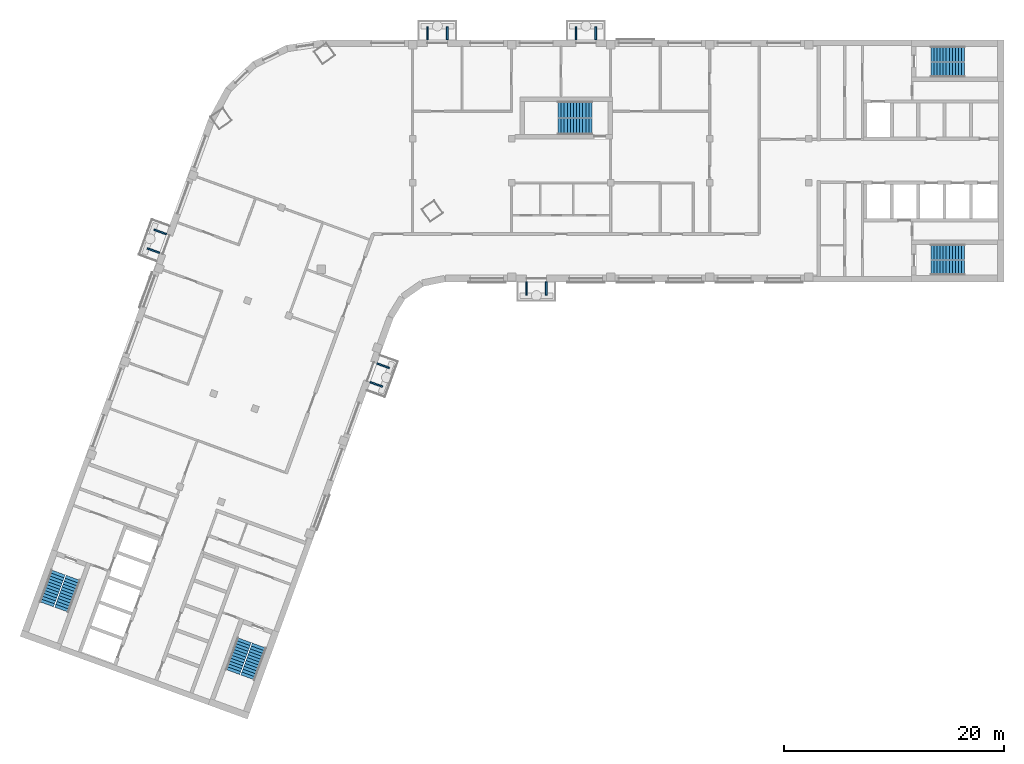
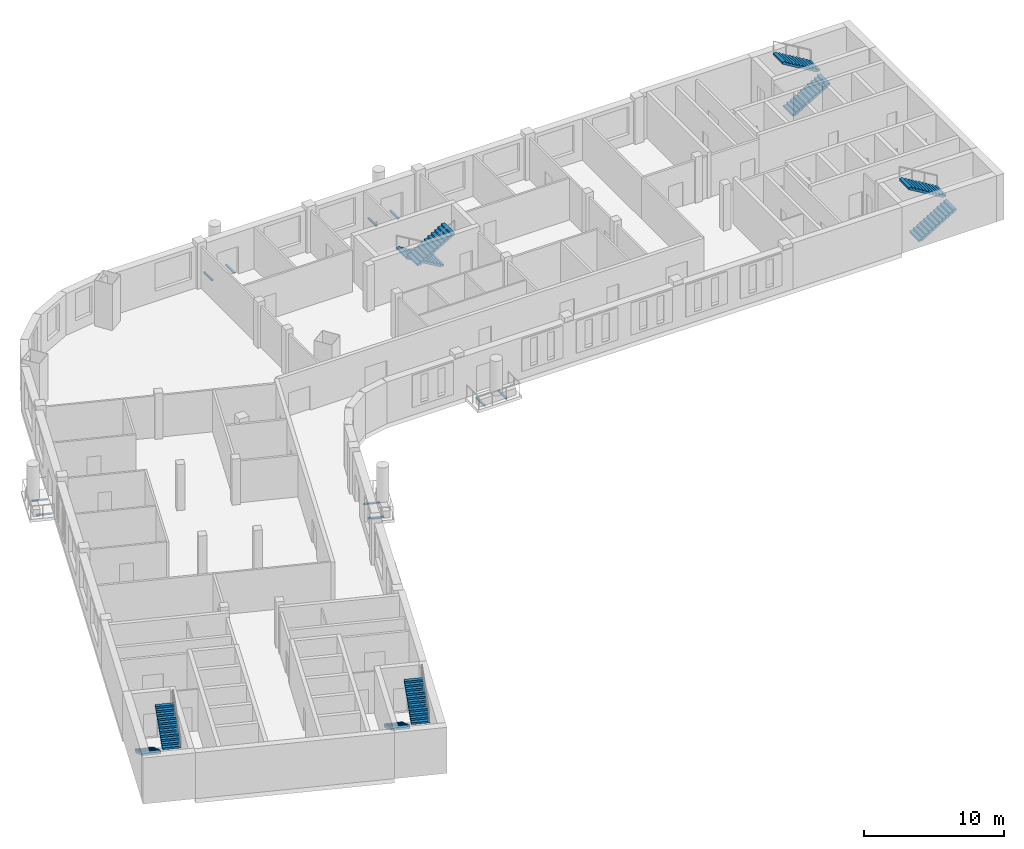
# One storey, part 7 of 10: 10 discrete accessories, 10 stair flights, 5 elements without a shape of their own.
"""IFC4 building model written with IfcOpenShell, lengths in metres."""

import ifcopenshell
import ifcopenshell.guid

model = None  # the IFC model being written
_history = None  # IfcOwnerHistory: only IFC2X3 demands one
_inside = {}  # id of a spatial element -> (the spatial element, [elements in it])
_under = {}  # id of a project, library or spatial element -> (it, [spatial elements below it])
_declared = {}  # id of a project -> (the project, [libraries it declares])
_typed = {}  # id of a type object -> (the type object, [elements of that type])
_made_of = {}  # id of a material, layer set ... -> (it, [elements and type objects made of it])


def new_model(schema):
    """Start an empty IFC model of exactly this schema.

    Asked for "IFC4X3", IfcOpenShell would pick the latest addendum, in which some entities
    have other attributes; the version numbers below select the first issue.
    IFC2X3 requires an IfcOwnerHistory on every rooted entity: one is made here for all.
    """
    global model, _history
    if schema == "IFC4X3":
        model = ifcopenshell.file(schema_version=(4, 3, 0, 0))
    else:
        model = ifcopenshell.file(schema=schema)
    _inside.clear()
    _under.clear()
    _declared.clear()
    _typed.clear()
    _made_of.clear()
    _history = None
    if model.schema == "IFC2X3":
        org = make("IfcOrganization", Name="unknown")
        user = make(
            "IfcPersonAndOrganization",
            ThePerson=make("IfcPerson", FamilyName="unknown"),
            TheOrganization=org,
        )
        app = make(
            "IfcApplication",
            ApplicationDeveloper=org,
            Version="unknown",
            ApplicationFullName="unknown",
            ApplicationIdentifier="unknown",
        )
        _history = make(
            "IfcOwnerHistory",
            OwningUser=user,
            OwningApplication=app,
            ChangeAction="ADDED",
            CreationDate=0,
        )
    return model


def make(cls, **values):
    """One entity of the class cls with the attributes given. An attribute that is None is left unset."""
    return model.create_entity(
        cls, **{name: value for name, value in values.items() if value is not None}
    )


def rooted(cls, **values):
    """An entity with a GlobalId (a new one), such as an element, a storey or a relation."""
    return make(cls, GlobalId=ifcopenshell.guid.new(), OwnerHistory=_history, **values)


def si_unit(unit_type, name, prefix=None):
    """IfcSIUnit, for example si_unit("LENGTHUNIT", "METRE", prefix="MILLI")."""
    return make("IfcSIUnit", UnitType=unit_type, Prefix=prefix, Name=name)


def assignment(units):
    """IfcUnitAssignment: the units of a project."""
    return None if units is None else make("IfcUnitAssignment", Units=units)


def point(xyz):
    """IfcCartesianPoint."""
    return None if xyz is None else make("IfcCartesianPoint", Coordinates=xyz)


def direction(xyz):
    """IfcDirection."""
    return None if xyz is None else make("IfcDirection", DirectionRatios=xyz)


def frame(location, z_axis=None, x_axis=None):
    """IfcAxis2Placement3D, a coordinate frame: its origin and axes. An axis left out is left unset."""
    return make(
        "IfcAxis2Placement3D",
        Location=point(location),
        Axis=direction(z_axis),
        RefDirection=direction(x_axis),
    )


def frame_2d(location, x_axis=None):
    """IfcAxis2Placement2D, a coordinate frame in the plane: its origin and x axis."""
    return make(
        "IfcAxis2Placement2D", Location=point(location), RefDirection=direction(x_axis)
    )


def origin():
    """The frame at (0, 0, 0) with its axes left unset."""
    return frame((0.0, 0.0, 0.0))


def origin_2d():
    """The frame at (0, 0) in the plane with its x axis left unset."""
    return frame_2d((0.0, 0.0))


def place(relative_to, where):
    """IfcLocalPlacement: puts the frame where relative to a parent placement (None: the world)."""
    return make(
        "IfcLocalPlacement", PlacementRelTo=relative_to, RelativePlacement=where
    )


def context(
    kind, dimensions, precision=None, world=None, true_north=None, identifier=None
):
    """IfcGeometricRepresentationContext, for example the 3D "Model" context."""
    return make(
        "IfcGeometricRepresentationContext",
        ContextIdentifier=identifier,
        ContextType=kind,
        CoordinateSpaceDimension=dimensions,
        Precision=precision,
        WorldCoordinateSystem=world,
        TrueNorth=true_north,
    )


def subcontext(parent, identifier, kind, view, scale=None):
    """IfcGeometricRepresentationSubContext, for example "Body" below "Model"."""
    return make(
        "IfcGeometricRepresentationSubContext",
        ContextIdentifier=identifier,
        ContextType=kind,
        ParentContext=parent,
        TargetScale=scale,
        TargetView=view,
    )


def project(units=None, contexts=None):
    """IfcProject with its units and contexts."""
    return rooted(
        "IfcProject",
        Name="project",
        RepresentationContexts=contexts,
        UnitsInContext=assignment(units),
    )


def spatial(cls, under=None, at=None, **own):
    """A site, building, storey or space (cls), placed at a placement, below another one or the project."""
    s = rooted(cls, ObjectPlacement=at, **own)
    if under is not None:
        _under.setdefault(under.id(), (under, []))[1].append(s)
    return s


def polyline(points):
    """IfcPolyline through the points."""
    return make("IfcPolyline", Points=[point(p) for p in points])


def profile(cls, at=None, kind="AREA", **sizes):
    """A parametric profile (cls). Its sizes go by their IFC names, for example OverallWidth=200.0."""
    return make(cls, ProfileType=kind, Position=at, **sizes)


def rectangle(**sizes):
    """IfcRectangleProfileDef."""
    return profile("IfcRectangleProfileDef", **sizes)


def outline(outer, holes=None, kind="AREA"):
    """IfcArbitraryClosedProfileDef: a profile drawn as a closed curve; with holes, ...WithVoids."""
    if holes is None:
        return make("IfcArbitraryClosedProfileDef", ProfileType=kind, OuterCurve=outer)
    return make(
        "IfcArbitraryProfileDefWithVoids",
        ProfileType=kind,
        OuterCurve=outer,
        InnerCurves=holes,
    )


def extrude(swept, where, along, depth):
    """IfcExtrudedAreaSolid: the profile swept, set in the frame where, extruded along a direction by depth."""
    return make(
        "IfcExtrudedAreaSolid",
        SweptArea=swept,
        Position=where,
        ExtrudedDirection=direction(along),
        Depth=depth,
    )


def shape(context_of_items, identifier, shape_type, items):
    """IfcShapeRepresentation: the items that make up one representation, for example the "Body"."""
    return make(
        "IfcShapeRepresentation",
        ContextOfItems=context_of_items,
        RepresentationIdentifier=identifier,
        RepresentationType=shape_type,
        Items=items,
    )


def material(Name=None, Category=None):
    """IfcMaterial."""
    return make("IfcMaterial", Name=Name, Category=Category)


def made_of(thing, what):
    """Note that an element or type object is made of a material, layer set ...; save() writes the relation."""
    if what is not None:
        _made_of.setdefault(what.id(), (what, []))[1].append(thing)
    return thing


def type_object(cls, material=None, **own):
    """A type object (cls), such as IfcWallType, which elements share."""
    return made_of(rooted(cls, **own), material)


def element(
    cls,
    number,
    at=None,
    inside=None,
    cuts=None,
    type_object=None,
    material=None,
    context=None,
    identifier="Body",
    shape_type=None,
    held_by="IfcProductDefinitionShape",
    body=None,
    shapes=None,
    **own,
):
    """One element of the class cls, such as IfcWall. Its Tag is "e" and its number.

    at: its placement. inside: the storey or other place that contains it. cuts: it is an
    opening in that element (IfcRelVoidsElement). A single representation is given by context,
    identifier, shape_type and body (its items); several are given by shapes. held_by: the class
    of the entity that holds the representations. save() writes the other relations.
    """
    e = rooted(cls, Tag="e%d" % number, ObjectPlacement=at, **own)
    if body is not None:
        shapes = [shape(context, identifier, shape_type, body)]
    if shapes is not None:
        e.Representation = make(held_by, Representations=shapes)
    if inside is not None:
        _inside.setdefault(inside.id(), (inside, []))[1].append(e)
    if cuts is not None:
        rooted(
            "IfcRelVoidsElement", RelatingBuildingElement=cuts, RelatedOpeningElement=e
        )
    if type_object is not None:
        _typed.setdefault(type_object.id(), (type_object, []))[1].append(e)
    return made_of(e, material)


def aggregate(whole, parts):
    """IfcRelAggregates: a whole, such as a stair, and the parts it consists of."""
    return rooted("IfcRelAggregates", RelatingObject=whole, RelatedObjects=parts)


def save(model, path):
    """Write the relations noted so far, then the file.

    IfcRelAggregates (storeys below a building ...), IfcRelContainedInSpatialStructure (elements
    in a storey), IfcRelDefinesByType, IfcRelAssociatesMaterial and IfcRelDeclares: one each for
    every whole, place, type object, material and project.
    """
    for whole, parts in _under.values():
        aggregate(whole, parts)
    for where, things in _inside.values():
        rooted(
            "IfcRelContainedInSpatialStructure",
            RelatedElements=things,
            RelatingStructure=where,
        )
    for kind, things in _typed.values():
        rooted("IfcRelDefinesByType", RelatedObjects=things, RelatingType=kind)
    for what, things in _made_of.values():
        rooted("IfcRelAssociatesMaterial", RelatedObjects=things, RelatingMaterial=what)
    for by, libraries in _declared.values():
        rooted("IfcRelDeclares", RelatingContext=by, RelatedDefinitions=libraries)
    model.write(path)


model = new_model("IFC4")

# Units and contexts
model_context = context("Model", 3, precision=1e-05, world=origin(), true_north=direction((0.0, 1.0)))
body_context = subcontext(model_context, "Body", "Model", "MODEL_VIEW")
ifc_project = project(units=[si_unit("LENGTHUNIT", "METRE"), si_unit("AREAUNIT", "SQUARE_METRE"), si_unit("VOLUMEUNIT", "CUBIC_METRE"), si_unit("PLANEANGLEUNIT", "RADIAN"), si_unit("MASSUNIT", "GRAM", prefix="KILO")], contexts=[model_context])

# Site, building, storey
site_placement = place(None, origin())
site = spatial("IfcSite", under=ifc_project, at=site_placement, CompositionType="ELEMENT")
building_placement = place(site_placement, origin())
building = spatial("IfcBuilding", under=site, at=building_placement, Name="Skarvind Civic Tower", CompositionType="ELEMENT")
storey_placement = place(building_placement, frame((0.0, 0.0, 192.0)))
storey = spatial("IfcBuildingStorey", under=building, at=storey_placement, Name="L45", CompositionType="ELEMENT", Elevation=192.0)

# Stair, stair flights
ifc_material = material(Name="Concrete C40/50", Category="concrete")
stair_type_1 = type_object("IfcStairType", Name="Exit stair 1450, half-turn, concrete", PredefinedType="HALF_TURN_STAIR", material=ifc_material)
stair_1_placement = place(storey_placement, origin())
stair_1 = element("IfcStair", 1, at=stair_1_placement, inside=storey, type_object=stair_type_1, Name="Exit stair CM", PredefinedType="HALF_TURN_STAIR")
stair_flight_type_1 = type_object("IfcStairFlightType", Name="Stair flight 1450, concrete", PredefinedType="STRAIGHT", material=ifc_material)
stair_flight_1_placement = place(storey_placement, frame((70.550048828125, 132.675048828125, 0.0), z_axis=(0.0, 0.0, 1.0), x_axis=(-1.0, 0.0, 0.0)))
stair_flight_1 = element("IfcStairFlight", 2, at=stair_flight_1_placement, type_object=stair_flight_type_1, Name="ST-CM flight 1", NumberOfRisers=12, NumberOfTreads=11, PredefinedType="STRAIGHT", RiserHeight=0.166666667, TreadLength=0.28, context=body_context, shape_type="SweptSolid", body=[
    extrude(outline(polyline([(0.0, 0.0), (0.0, 0.166748046875), (0.280029296875, 0.166748046875), (0.280029296875, 0.333251953125), (0.56005859375, 0.333251953125), (0.56005859375, 0.5), (0.840087890625, 0.5), (0.840087890625, 0.666748046875), (1.1201171875, 0.666748046875), (1.1201171875, 0.833251953125), (1.39990234375, 0.833251953125), (1.39990234375, 1.0), (1.679931640625, 1.0), (1.679931640625, 1.166748046875), (1.9599609375, 1.166748046875), (1.9599609375, 1.333251953125), (2.239990234375, 1.333251953125), (2.239990234375, 1.5), (2.52001953125, 1.5), (2.52001953125, 1.666748046875), (2.800048828125, 1.666748046875), (2.800048828125, 1.833251953125), (3.080078125, 1.833251953125), (3.080078125, 2.0), (3.080078125, 1.658935546875), (0.29296875, 0.0), (0.0, 0.0)])), frame((0.0, 0.72509765625, 0.0), z_axis=(0.0, -1.0, 0.0), x_axis=(1.0, 0.0, 0.0)), (0.0, 0.0, 1.0), 1.449951171875),
])
stair_flight_2_placement = place(storey_placement, frame((67.469970703125, 131.125, 2.0), z_axis=(0.0, 0.0, 1.0), x_axis=(1.0, 0.0, 0.0)))
stair_flight_2 = element("IfcStairFlight", 3, at=stair_flight_2_placement, type_object=stair_flight_type_1, Name="ST-CM flight 2", NumberOfRisers=12, NumberOfTreads=11, PredefinedType="STRAIGHT", RiserHeight=0.166666667, TreadLength=0.28, context=body_context, shape_type="SweptSolid", body=[
    extrude(outline(polyline([(0.0, 0.0), (0.0, 0.166748046875), (0.280029296875, 0.166748046875), (0.280029296875, 0.333251953125), (0.56005859375, 0.333251953125), (0.56005859375, 0.5), (0.840087890625, 0.5), (0.840087890625, 0.666748046875), (1.1201171875, 0.666748046875), (1.1201171875, 0.833251953125), (1.39990234375, 0.833251953125), (1.39990234375, 1.0), (1.679931640625, 1.0), (1.679931640625, 1.166748046875), (1.9599609375, 1.166748046875), (1.9599609375, 1.333251953125), (2.239990234375, 1.333251953125), (2.239990234375, 1.5), (2.52001953125, 1.5), (2.52001953125, 1.666748046875), (2.800048828125, 1.666748046875), (2.800048828125, 1.833251953125), (3.080078125, 1.833251953125), (3.080078125, 2.0), (3.080078125, 1.658935546875), (0.29296875, 0.0), (0.0, 0.0)])), frame((0.0, 0.72509765625, 0.0), z_axis=(0.0, -1.0, 0.0), x_axis=(1.0, 0.0, 0.0)), (0.0, 0.0, 1.0), 1.449951171875),
])
aggregate(stair_1, [stair_flight_1, stair_flight_2])

stair_type_2 = type_object("IfcStairType", Name="Exit stair, half-turn, concrete", PredefinedType="HALF_TURN_STAIR", material=ifc_material)
stair_2_placement = place(storey_placement, origin())
stair_2 = element("IfcStair", 4, at=stair_2_placement, inside=storey, type_object=stair_type_2, Name="Exit stair C1S", PredefinedType="HALF_TURN_STAIR")
stair_flight_type_2 = type_object("IfcStairFlightType", Name="Stair flight, concrete", PredefinedType="STRAIGHT", material=ifc_material)
stair_flight_3_placement = place(storey_placement, frame((101.35009765625, 136.27490234375, 0.0), z_axis=(0.0, 0.0, 1.0), x_axis=(1.0, 0.0, 0.0)))
stair_flight_3 = element("IfcStairFlight", 5, at=stair_flight_3_placement, type_object=stair_flight_type_2, Name="ST-C1S flight 1", NumberOfRisers=12, NumberOfTreads=11, PredefinedType="STRAIGHT", RiserHeight=0.166666667, TreadLength=0.28, context=body_context, shape_type="SweptSolid", body=[
    extrude(outline(polyline([(0.0, 0.0), (0.0, 0.166748046875), (0.280029296875, 0.166748046875), (0.280029296875, 0.333251953125), (0.56005859375, 0.333251953125), (0.56005859375, 0.5), (0.840087890625, 0.5), (0.840087890625, 0.666748046875), (1.1201171875, 0.666748046875), (1.1201171875, 0.833251953125), (1.39990234375, 0.833251953125), (1.39990234375, 1.0), (1.679931640625, 1.0), (1.679931640625, 1.166748046875), (1.9599609375, 1.166748046875), (1.9599609375, 1.333251953125), (2.239990234375, 1.333251953125), (2.239990234375, 1.5), (2.52001953125, 1.5), (2.52001953125, 1.666748046875), (2.800048828125, 1.666748046875), (2.800048828125, 1.833251953125), (3.080078125, 1.833251953125), (3.080078125, 2.0), (3.080078125, 1.658935546875), (0.29296875, 0.0), (0.0, 0.0)])), frame((0.0, 0.675048828125, 0.0), z_axis=(0.0, -1.0, 0.0), x_axis=(1.0, 0.0, 0.0)), (0.0, 0.0, 1.0), 1.35009765625),
])
stair_flight_4_placement = place(storey_placement, frame((104.429931640625, 137.72509765625, 2.0), z_axis=(0.0, 0.0, 1.0), x_axis=(-1.0, 0.0, 0.0)))
stair_flight_4 = element("IfcStairFlight", 6, at=stair_flight_4_placement, type_object=stair_flight_type_2, Name="ST-C1S flight 2", NumberOfRisers=12, NumberOfTreads=11, PredefinedType="STRAIGHT", RiserHeight=0.166666667, TreadLength=0.28, context=body_context, shape_type="SweptSolid", body=[
    extrude(outline(polyline([(0.0, 0.0), (0.0, 0.166748046875), (0.280029296875, 0.166748046875), (0.280029296875, 0.333251953125), (0.56005859375, 0.333251953125), (0.56005859375, 0.5), (0.840087890625, 0.5), (0.840087890625, 0.666748046875), (1.1201171875, 0.666748046875), (1.1201171875, 0.833251953125), (1.39990234375, 0.833251953125), (1.39990234375, 1.0), (1.679931640625, 1.0), (1.679931640625, 1.166748046875), (1.9599609375, 1.166748046875), (1.9599609375, 1.333251953125), (2.239990234375, 1.333251953125), (2.239990234375, 1.5), (2.52001953125, 1.5), (2.52001953125, 1.666748046875), (2.800048828125, 1.666748046875), (2.800048828125, 1.833251953125), (3.080078125, 1.833251953125), (3.080078125, 2.0), (3.080078125, 1.658935546875), (0.29296875, 0.0), (0.0, 0.0)])), frame((0.0, 0.675048828125, 0.0), z_axis=(0.0, -1.0, 0.0), x_axis=(1.0, 0.0, 0.0)), (0.0, 0.0, 1.0), 1.35009765625),
])
aggregate(stair_2, [stair_flight_3, stair_flight_4])

stair_3_placement = place(storey_placement, origin())
stair_3 = element("IfcStair", 7, at=stair_3_placement, inside=storey, type_object=stair_type_2, Name="Exit stair C1N", PredefinedType="HALF_TURN_STAIR")
stair_flight_5_placement = place(storey_placement, frame((101.35009765625, 118.27490234375, 0.0), z_axis=(0.0, 0.0, 1.0), x_axis=(1.0, 0.0, 0.0)))
stair_flight_5 = element("IfcStairFlight", 8, at=stair_flight_5_placement, type_object=stair_flight_type_2, Name="ST-C1N flight 1", NumberOfRisers=12, NumberOfTreads=11, PredefinedType="STRAIGHT", RiserHeight=0.166666667, TreadLength=0.28, context=body_context, shape_type="SweptSolid", body=[
    extrude(outline(polyline([(0.0, 0.0), (0.0, 0.166748046875), (0.280029296875, 0.166748046875), (0.280029296875, 0.333251953125), (0.56005859375, 0.333251953125), (0.56005859375, 0.5), (0.840087890625, 0.5), (0.840087890625, 0.666748046875), (1.1201171875, 0.666748046875), (1.1201171875, 0.833251953125), (1.39990234375, 0.833251953125), (1.39990234375, 1.0), (1.679931640625, 1.0), (1.679931640625, 1.166748046875), (1.9599609375, 1.166748046875), (1.9599609375, 1.333251953125), (2.239990234375, 1.333251953125), (2.239990234375, 1.5), (2.52001953125, 1.5), (2.52001953125, 1.666748046875), (2.800048828125, 1.666748046875), (2.800048828125, 1.833251953125), (3.080078125, 1.833251953125), (3.080078125, 2.0), (3.080078125, 1.658935546875), (0.29296875, 0.0), (0.0, 0.0)])), frame((0.0, 0.675048828125, 0.0), z_axis=(0.0, -1.0, 0.0), x_axis=(1.0, 0.0, 0.0)), (0.0, 0.0, 1.0), 1.35009765625),
])
stair_flight_6_placement = place(storey_placement, frame((104.429931640625, 119.72509765625, 2.0), z_axis=(0.0, 0.0, 1.0), x_axis=(-1.0, 0.0, 0.0)))
stair_flight_6 = element("IfcStairFlight", 9, at=stair_flight_6_placement, type_object=stair_flight_type_2, Name="ST-C1N flight 2", NumberOfRisers=12, NumberOfTreads=11, PredefinedType="STRAIGHT", RiserHeight=0.166666667, TreadLength=0.28, context=body_context, shape_type="SweptSolid", body=[
    extrude(outline(polyline([(0.0, 0.0), (0.0, 0.166748046875), (0.280029296875, 0.166748046875), (0.280029296875, 0.333251953125), (0.56005859375, 0.333251953125), (0.56005859375, 0.5), (0.840087890625, 0.5), (0.840087890625, 0.666748046875), (1.1201171875, 0.666748046875), (1.1201171875, 0.833251953125), (1.39990234375, 0.833251953125), (1.39990234375, 1.0), (1.679931640625, 1.0), (1.679931640625, 1.166748046875), (1.9599609375, 1.166748046875), (1.9599609375, 1.333251953125), (2.239990234375, 1.333251953125), (2.239990234375, 1.5), (2.52001953125, 1.5), (2.52001953125, 1.666748046875), (2.800048828125, 1.666748046875), (2.800048828125, 1.833251953125), (3.080078125, 1.833251953125), (3.080078125, 2.0), (3.080078125, 1.658935546875), (0.29296875, 0.0), (0.0, 0.0)])), frame((0.0, 0.675048828125, 0.0), z_axis=(0.0, -1.0, 0.0), x_axis=(1.0, 0.0, 0.0)), (0.0, 0.0, 1.0), 1.35009765625),
])
aggregate(stair_3, [stair_flight_5, stair_flight_6])

stair_4_placement = place(storey_placement, origin())
stair_4 = element("IfcStair", 10, at=stair_4_placement, inside=storey, type_object=stair_type_2, Name="Exit stair C2S", PredefinedType="HALF_TURN_STAIR")
stair_flight_7_placement = place(storey_placement, frame((38.949462890625, 84.43408203125, 0.0), z_axis=(0.0, 0.0, 1.0), x_axis=(-0.342020143326, -0.939692620786, 0.0)))
stair_flight_7 = element("IfcStairFlight", 11, at=stair_flight_7_placement, type_object=stair_flight_type_2, Name="ST-C2S flight 1", NumberOfRisers=12, NumberOfTreads=11, PredefinedType="STRAIGHT", RiserHeight=0.166666667, TreadLength=0.28, context=body_context, shape_type="SweptSolid", body=[
    extrude(outline(polyline([(0.0, 0.0), (0.0, 0.166748046875), (0.280029296875, 0.166748046875), (0.280029296875, 0.333251953125), (0.56005859375, 0.333251953125), (0.56005859375, 0.5), (0.840087890625, 0.5), (0.840087890625, 0.666748046875), (1.1201171875, 0.666748046875), (1.1201171875, 0.833251953125), (1.39990234375, 0.833251953125), (1.39990234375, 1.0), (1.679931640625, 1.0), (1.679931640625, 1.166748046875), (1.9599609375, 1.166748046875), (1.9599609375, 1.333251953125), (2.239990234375, 1.333251953125), (2.239990234375, 1.5), (2.52001953125, 1.5), (2.52001953125, 1.666748046875), (2.800048828125, 1.666748046875), (2.800048828125, 1.833251953125), (3.080078125, 1.833251953125), (3.080078125, 2.0), (3.080078125, 1.658935546875), (0.29296875, 0.0), (0.0, 0.0)])), frame((0.0, 0.675048828125, 0.0), z_axis=(0.0, -1.0, 0.0), x_axis=(1.0, 0.0, 0.0)), (0.0, 0.0, 1.0), 1.35009765625),
])
stair_flight_8_placement = place(storey_placement, frame((39.258544921875, 81.0439453125, 2.0), z_axis=(0.0, 0.0, 1.0), x_axis=(0.342020143326, 0.939692620786, 0.0)))
stair_flight_8 = element("IfcStairFlight", 12, at=stair_flight_8_placement, type_object=stair_flight_type_2, Name="ST-C2S flight 2", NumberOfRisers=12, NumberOfTreads=11, PredefinedType="STRAIGHT", RiserHeight=0.166666667, TreadLength=0.28, context=body_context, shape_type="SweptSolid", body=[
    extrude(outline(polyline([(0.0, 0.0), (0.0, 0.166748046875), (0.280029296875, 0.166748046875), (0.280029296875, 0.333251953125), (0.56005859375, 0.333251953125), (0.56005859375, 0.5), (0.840087890625, 0.5), (0.840087890625, 0.666748046875), (1.1201171875, 0.666748046875), (1.1201171875, 0.833251953125), (1.39990234375, 0.833251953125), (1.39990234375, 1.0), (1.679931640625, 1.0), (1.679931640625, 1.166748046875), (1.9599609375, 1.166748046875), (1.9599609375, 1.333251953125), (2.239990234375, 1.333251953125), (2.239990234375, 1.5), (2.52001953125, 1.5), (2.52001953125, 1.666748046875), (2.800048828125, 1.666748046875), (2.800048828125, 1.833251953125), (3.080078125, 1.833251953125), (3.080078125, 2.0), (3.080078125, 1.658935546875), (0.29296875, 0.0), (0.0, 0.0)])), frame((0.0, 0.675048828125, 0.0), z_axis=(0.0, -1.0, 0.0), x_axis=(1.0, 0.0, 0.0)), (0.0, 0.0, 1.0), 1.35009765625),
])
aggregate(stair_4, [stair_flight_7, stair_flight_8])

stair_5_placement = place(storey_placement, origin())
stair_5 = element("IfcStair", 13, at=stair_5_placement, inside=storey, type_object=stair_type_2, Name="Exit stair C2N", PredefinedType="HALF_TURN_STAIR")
stair_flight_9_placement = place(storey_placement, frame((22.034912109375, 90.590576171875, 0.0), z_axis=(0.0, 0.0, 1.0), x_axis=(-0.342020143326, -0.939692620786, 0.0)))
stair_flight_9 = element("IfcStairFlight", 14, at=stair_flight_9_placement, type_object=stair_flight_type_2, Name="ST-C2N flight 1", NumberOfRisers=12, NumberOfTreads=11, PredefinedType="STRAIGHT", RiserHeight=0.166666667, TreadLength=0.28, context=body_context, shape_type="SweptSolid", body=[
    extrude(outline(polyline([(0.0, 0.0), (0.0, 0.166748046875), (0.280029296875, 0.166748046875), (0.280029296875, 0.333251953125), (0.56005859375, 0.333251953125), (0.56005859375, 0.5), (0.840087890625, 0.5), (0.840087890625, 0.666748046875), (1.1201171875, 0.666748046875), (1.1201171875, 0.833251953125), (1.39990234375, 0.833251953125), (1.39990234375, 1.0), (1.679931640625, 1.0), (1.679931640625, 1.166748046875), (1.9599609375, 1.166748046875), (1.9599609375, 1.333251953125), (2.239990234375, 1.333251953125), (2.239990234375, 1.5), (2.52001953125, 1.5), (2.52001953125, 1.666748046875), (2.800048828125, 1.666748046875), (2.800048828125, 1.833251953125), (3.080078125, 1.833251953125), (3.080078125, 2.0), (3.080078125, 1.658935546875), (0.29296875, 0.0), (0.0, 0.0)])), frame((0.0, 0.675048828125, 0.0), z_axis=(0.0, -1.0, 0.0), x_axis=(1.0, 0.0, 0.0)), (0.0, 0.0, 1.0), 1.35009765625),
])
stair_flight_10_placement = place(storey_placement, frame((22.343994140625, 87.2001953125, 2.0), z_axis=(0.0, 0.0, 1.0), x_axis=(0.342020143326, 0.939692620786, 0.0)))
stair_flight_10 = element("IfcStairFlight", 15, at=stair_flight_10_placement, type_object=stair_flight_type_2, Name="ST-C2N flight 2", NumberOfRisers=12, NumberOfTreads=11, PredefinedType="STRAIGHT", RiserHeight=0.166666667, TreadLength=0.28, context=body_context, shape_type="SweptSolid", body=[
    extrude(outline(polyline([(0.0, 0.0), (0.0, 0.166748046875), (0.280029296875, 0.166748046875), (0.280029296875, 0.333251953125), (0.56005859375, 0.333251953125), (0.56005859375, 0.5), (0.840087890625, 0.5), (0.840087890625, 0.666748046875), (1.1201171875, 0.666748046875), (1.1201171875, 0.833251953125), (1.39990234375, 0.833251953125), (1.39990234375, 1.0), (1.679931640625, 1.0), (1.679931640625, 1.166748046875), (1.9599609375, 1.166748046875), (1.9599609375, 1.333251953125), (2.239990234375, 1.333251953125), (2.239990234375, 1.5), (2.52001953125, 1.5), (2.52001953125, 1.666748046875), (2.800048828125, 1.666748046875), (2.800048828125, 1.833251953125), (3.080078125, 1.833251953125), (3.080078125, 2.0), (3.080078125, 1.658935546875), (0.29296875, 0.0), (0.0, 0.0)])), frame((0.0, 0.675048828125, 0.0), z_axis=(0.0, -1.0, 0.0), x_axis=(1.0, 0.0, 0.0)), (0.0, 0.0, 1.0), 1.35009765625),
])
aggregate(stair_5, [stair_flight_9, stair_flight_10])

# Discrete accessories
for number, where, z_axis, x_axis, name in (
    (16, (51.56494140625, 109.373291015625, -0.35009765625), (0.0, 0.0, 1.0), (-0.342020143326, -0.939692620786, 0.0), "TREE BALCONY BRACKET"),
    (17, (50.94921875, 107.681884765625, -0.35009765625), (0.0, 0.0, 1.0), (-0.342020143326, -0.939692620786, 0.0), "TREE BALCONY BRACKET"),
    (18, (66.39990234375, 116.39990234375, -0.35009765625), (0.0, 0.0, 1.0), (-1.0, 0.0, 0.0), "TREE BALCONY BRACKET"),
    (19, (64.60009765625, 116.39990234375, -0.35009765625), (0.0, 0.0, 1.0), (-1.0, 0.0, 0.0), "TREE BALCONY BRACKET"),
    (20, (55.60009765625, 139.60009765625, -0.35009765625), (0.0, 0.0, 1.0), (1.0, 0.0, 0.0), "TREE BALCONY BRACKET"),
    (21, (57.39990234375, 139.60009765625, -0.35009765625), (0.0, 0.0, 1.0), (1.0, 0.0, 0.0), "TREE BALCONY BRACKET"),
    (22, (69.10009765625, 139.60009765625, -0.35009765625), (0.0, 0.0, 1.0), (1.0, 0.0, 0.0), "TREE BALCONY BRACKET"),
    (23, (70.89990234375, 139.60009765625, -0.35009765625), (0.0, 0.0, 1.0), (1.0, 0.0, 0.0), "TREE BALCONY BRACKET"),
    (24, (30.6875, 119.845458984375, -0.35009765625), (0.0, 0.0, 1.0), (0.342020143326, 0.939692620786, 0.0), "TREE BALCONY BRACKET"),
    (25, (31.30322265625, 121.536865234375, -0.35009765625), (0.0, 0.0, 1.0), (0.342020143326, 0.939692620786, 0.0), "TREE BALCONY BRACKET"),
):
    element("IfcDiscreteAccessory", number, at=place(storey_placement, frame(where, z_axis=z_axis, x_axis=x_axis)), inside=storey, Name=name, PredefinedType="BRACKET", context=body_context, shape_type="SweptSolid", body=[
        extrude(rectangle(XDim=0.14990234375, YDim=1.199951171875, at=origin_2d()), origin(), (0.0, 0.0, 1.0), 0.10009765625),
    ])

save(model, "model.ifc")
